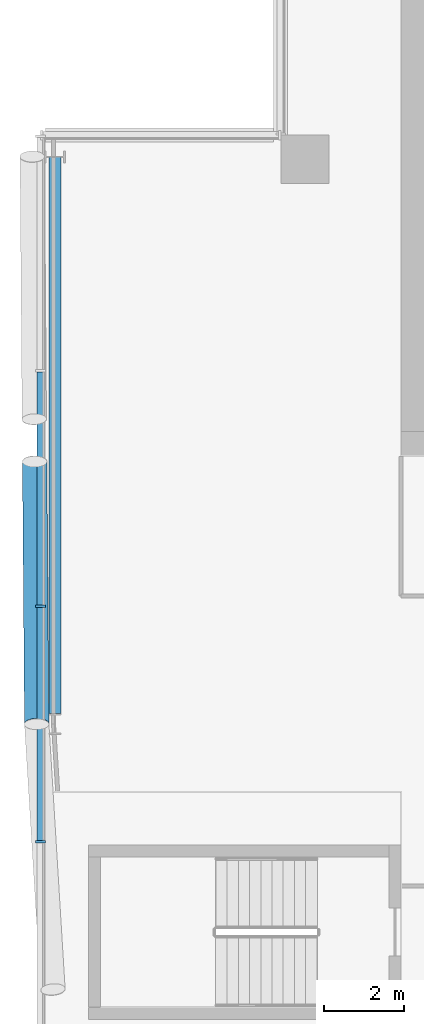
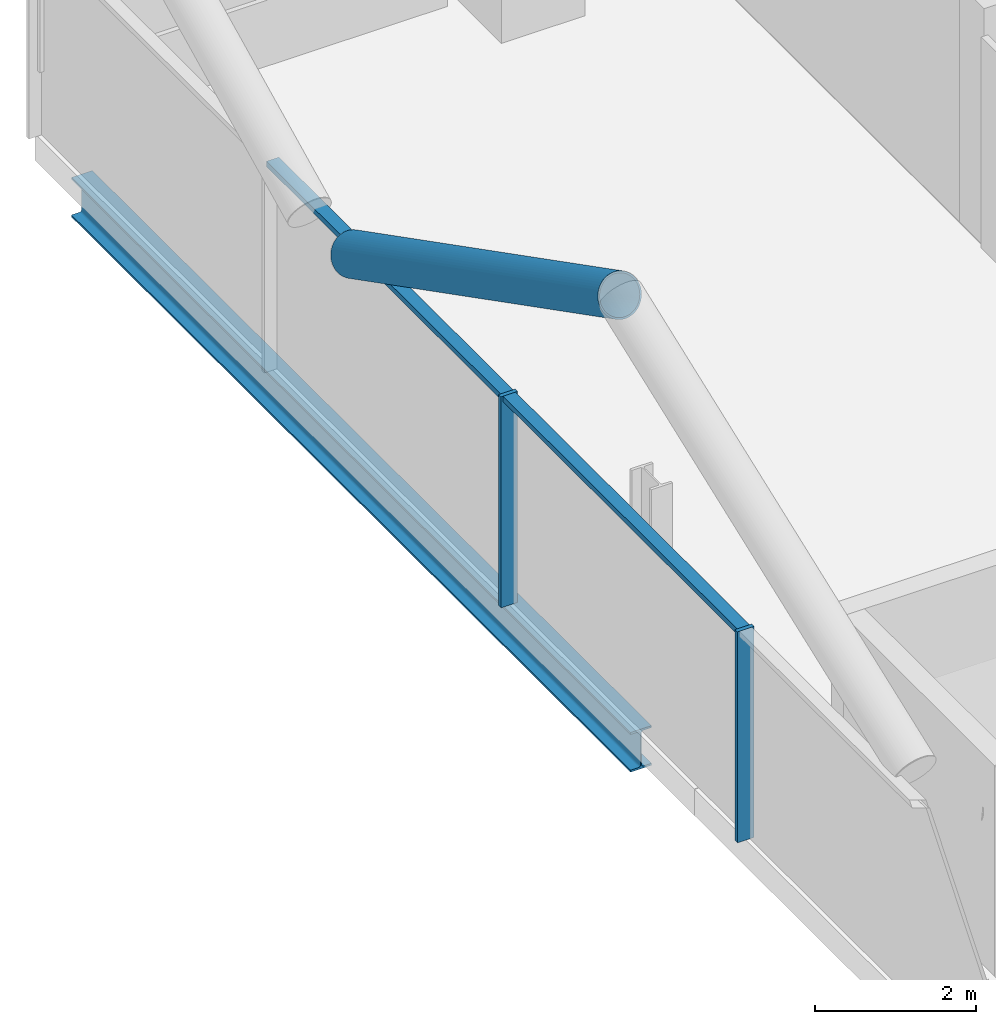
# One storey, part 7 of 27: 5 members, 1 beam, 1 element without a shape of its own.
"""IFC4 building model written with IfcOpenShell, lengths in metres."""

from ifc_helpers import new_model, si_unit, direction, frame, origin, origin_2d, place, context, subcontext, project, spatial, rectangle, hollow_circle, i_section, extrude, material, material_profile, profile_set, type_object, element, aggregate, save


model = new_model("IFC4")

# Units and contexts
model_context = context("Model", 3, precision=1e-05, world=origin(), true_north=direction((0.0, 1.0)))
body_context = subcontext(model_context, "Body", "Model", "MODEL_VIEW")
ifc_project = project(units=[si_unit("LENGTHUNIT", "METRE"), si_unit("AREAUNIT", "SQUARE_METRE"), si_unit("VOLUMEUNIT", "CUBIC_METRE"), si_unit("PLANEANGLEUNIT", "RADIAN"), si_unit("MASSUNIT", "GRAM", prefix="KILO")], contexts=[model_context])

# Site, building, storey
site_placement = place(None, origin())
site = spatial("IfcSite", under=ifc_project, at=site_placement, CompositionType="ELEMENT")
building_placement = place(site_placement, origin())
building = spatial("IfcBuilding", under=site, at=building_placement, Name="Wharfspan Tower", CompositionType="ELEMENT")
storey_placement = place(building_placement, frame((0.0, 0.0, 243.100098)))
storey = spatial("IfcBuildingStorey", under=building, at=storey_placement, Name="L61", CompositionType="ELEMENT", Elevation=243.100098)

# Beam
ifc_material_1 = material(Name="Steel S355J2", Category="steel")
ifc_material_profile_1 = material_profile(ifc_material_1, i_section(OverallWidth=0.300049, OverallDepth=0.600098, WebThickness=0.015381, FlangeThickness=0.030029, FilletRadius=0.0271, at=origin_2d()))
ifc_profile_set_1 = profile_set([ifc_material_profile_1], Name="Steel S355J2")
beam_type = type_object("IfcBeamType", Name="Edge beam HEB 600", PredefinedType="SPANDREL", material=ifc_profile_set_1)
beam_placement = place(storey_placement, frame((14.356934, 41.453125, -0.700195), z_axis=(0.000211, -1.0, 0.0), x_axis=(1.0, 0.000211, 0.0)))
element("IfcBeam", 1, at=beam_placement, inside=storey, type_object=beam_type, Name="Edge beam W L61 PNRW-H.1 to PW.1", PredefinedType="SPANDREL", context=body_context, shape_type="SweptSolid", body=[
    extrude(i_section(OverallWidth=0.300049, OverallDepth=0.600098, WebThickness=0.015381, FlangeThickness=0.030029, FilletRadius=0.0271, at=origin_2d()), origin(), (0.0, 0.0, 1.0), 13.89502),
])

# Curtain wall, members
ifc_material_2 = material(Name="Aluminium 6063-T6", Category="aluminium")
curtain_wall_type = type_object("IfcCurtainWallType", Name="CURTAIN WALL PROW AND END", PredefinedType="NOTDEFINED", material=ifc_material_2)
curtain_wall_placement = place(storey_placement, origin())
curtain_wall = element("IfcCurtainWall", 2, at=curtain_wall_placement, inside=storey, type_object=curtain_wall_type, Name="Curtain wall W", PredefinedType="NOTDEFINED")
ifc_material_profile_2 = material_profile(ifc_material_2, rectangle(XDim=0.23999, YDim=0.060059, at=origin_2d()))
ifc_profile_set_2 = profile_set([ifc_material_profile_2], Name="Aluminium 6063-T6")
member_type_1 = type_object("IfcMemberType", Name="MULLION PROW AND END 60x240", PredefinedType="MULLION", material=ifc_profile_set_2)
member_1_placement = place(storey_placement, frame((14.0, 30.23999, 0.0), z_axis=(0.0, 0.0, 1.0), x_axis=(1.0, 0.0, 0.0)))
member_1 = element("IfcMember", 3, at=member_1_placement, type_object=member_type_1, Name="Curtain wall W mullion 3", PredefinedType="MULLION", context=body_context, shape_type="SweptSolid", body=[
    extrude(rectangle(XDim=0.23999, YDim=0.060059, at=origin_2d()), origin(), (0.0, 0.0, 1.0), 3.199951),
])
member_2_placement = place(storey_placement, frame((14.0, 24.360107, 0.0), z_axis=(0.0, 0.0, 1.0), x_axis=(1.0, 0.0, 0.0)))
member_2 = element("IfcMember", 4, at=member_2_placement, type_object=member_type_1, Name="Curtain wall W mullion 4", PredefinedType="MULLION", context=body_context, shape_type="SweptSolid", body=[
    extrude(rectangle(XDim=0.23999, YDim=0.060059, at=origin_2d()), origin(), (0.0, 0.0, 1.0), 3.199951),
])

# Member
ifc_material_3 = material(Name="Steel S460NH", Category="steel")
ifc_material_profile_3 = material_profile(ifc_material_3, hollow_circle(Radius=0.304932, WallThickness=0.024902, at=origin_2d()))
ifc_profile_set_3 = profile_set([ifc_material_profile_3], Name="Steel S460NH")
member_type_2 = type_object("IfcMemberType", Name="Mega brace CHS 610x25", PredefinedType="BRACE", material=ifc_profile_set_3)
member_3_placement = place(storey_placement, frame((13.853271, 33.849121, 3.169678), z_axis=(0.007044, -0.891347, 0.453266), x_axis=(0.999973, 0.007904, 3e-06)))
element("IfcMember", 5, at=member_3_placement, inside=storey, type_object=member_type_2, Name="Mega brace W3 L61 part 2", PredefinedType="BRACE", context=body_context, shape_type="SweptSolid", body=[
    extrude(hollow_circle(Radius=0.304932, WallThickness=0.024902, at=origin_2d()), origin(), (0.0, 0.0, 1.0), 7.347412),
])

ifc_material_profile_4 = material_profile(ifc_material_2, rectangle(XDim=0.179932, YDim=0.080078, at=origin_2d()))
ifc_profile_set_4 = profile_set([ifc_material_profile_4], Name="Aluminium 6063-T6")
member_type_3 = type_object("IfcMemberType", Name="TRANSOM PROW AND END 80x180", PredefinedType="USERDEFINED", material=ifc_profile_set_4)
member_4_placement = place(storey_placement, frame((14.0, 36.090088, 3.159912), z_axis=(0.0, -1.0, 0.0), x_axis=(1.0, 0.0, 0.0)))
member_4 = element("IfcMember", 6, at=member_4_placement, type_object=member_type_3, Name="Curtain wall W transom 2", ObjectType="TRANSOM", PredefinedType="USERDEFINED", context=body_context, shape_type="SweptSolid", body=[
    extrude(rectangle(XDim=0.179932, YDim=0.080078, at=origin_2d()), origin(), (0.0, 0.0, 1.0), 5.820068),
])

member_5_placement = place(storey_placement, frame((14.0, 30.209961, 3.159912), z_axis=(0.0, -1.0, 0.0), x_axis=(1.0, 0.0, 0.0)))
member_5 = element("IfcMember", 7, at=member_5_placement, type_object=member_type_3, Name="Curtain wall W transom 3", ObjectType="TRANSOM", PredefinedType="USERDEFINED", context=body_context, shape_type="SweptSolid", body=[
    extrude(rectangle(XDim=0.179932, YDim=0.080078, at=origin_2d()), origin(), (0.0, 0.0, 1.0), 5.820068),
])

aggregate(curtain_wall, [member_1, member_2, member_4, member_5])

save(model, "model.ifc")
